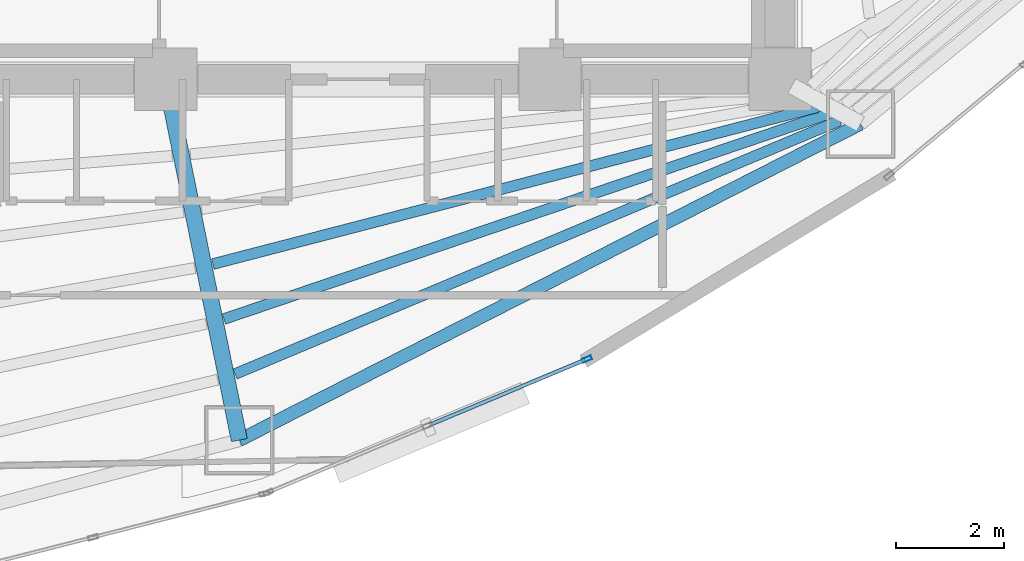
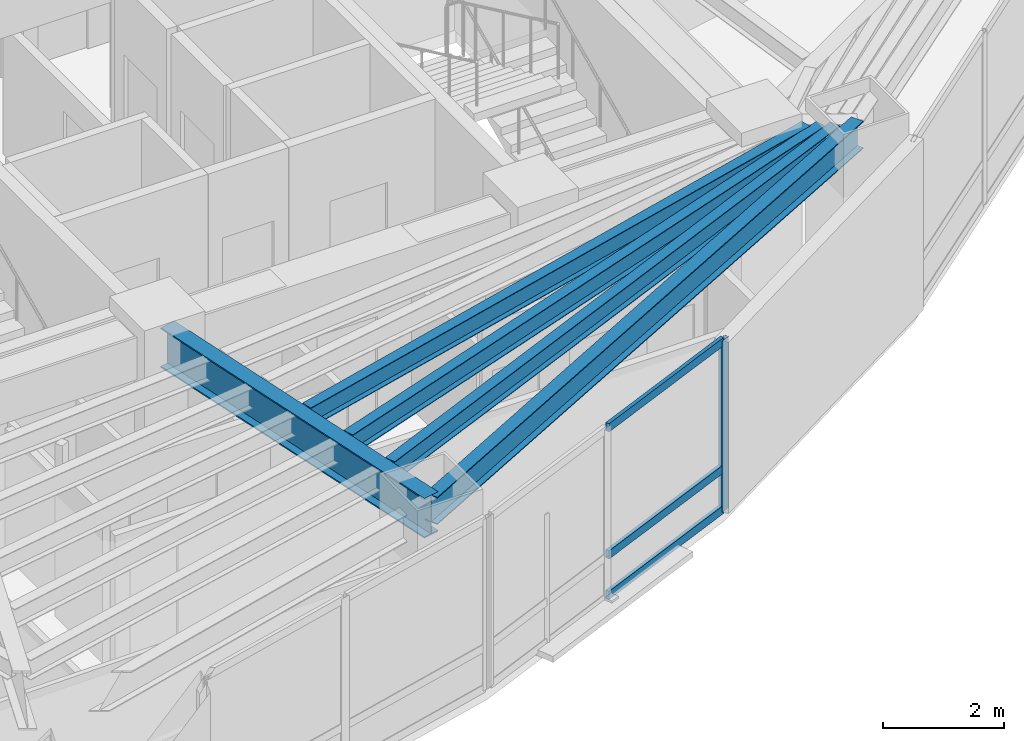
# One storey, part 6 of 25: 5 beams, 4 members, 1 element without a shape of its own.
"""IFC4 building model written with IfcOpenShell, lengths in metres."""

from ifc_helpers import new_model, si_unit, direction, frame, origin, origin_2d, place, context, subcontext, project, spatial, hollow_rectangle, i_section, extrude, material, layer, layer_set, material_profile, profile_set, type_object, element, aggregate, save


model = new_model("IFC4")

# Units and contexts
model_context = context("Model", 3, precision=1e-05, world=origin(), true_north=direction((0.0, 1.0)))
body_context = subcontext(model_context, "Body", "Model", "MODEL_VIEW")
ifc_project = project(units=[si_unit("LENGTHUNIT", "METRE"), si_unit("AREAUNIT", "SQUARE_METRE"), si_unit("VOLUMEUNIT", "CUBIC_METRE"), si_unit("PLANEANGLEUNIT", "RADIAN"), si_unit("MASSUNIT", "GRAM", prefix="KILO")], contexts=[model_context])

# Site, building, storey
site_placement = place(None, origin())
site = spatial("IfcSite", under=ifc_project, at=site_placement, CompositionType="ELEMENT")
building_placement = place(site_placement, origin())
building = spatial("IfcBuilding", under=site, at=building_placement, Name="Menara Vayukalpa", CompositionType="ELEMENT")
storey_placement = place(building_placement, frame((0.0, 0.0, 115.139892578125)))
storey = spatial("IfcBuildingStorey", under=building, at=storey_placement, Name="L28", CompositionType="ELEMENT", Elevation=115.139892578125)

# Beams
ifc_material_1 = material(Name="Steel S355", Category="steel")
ifc_material_profile_1 = material_profile(ifc_material_1, i_section(OverallWidth=0.300048828125, OverallDepth=0.800048828125, WebThickness=0.013916015625, FlangeThickness=0.02587890625, at=origin_2d()), Name="WF 800x300x14x26")
ifc_profile_set_1 = profile_set([ifc_material_profile_1], Name="Steel S355")
beam_type_1 = type_object("IfcBeamType", Name="BM-PG3", PredefinedType="BEAM", material=ifc_profile_set_1)
beam_1_placement = place(storey_placement, frame((22.099853515625, 16.955078125, 3.0400390625), z_axis=(0.199617728418, -0.9798738503, 0.0), x_axis=(0.9798738503, 0.199617728418, 0.0)))
element("IfcBeam", 1, at=beam_1_placement, inside=storey, type_object=beam_type_1, Name="L28 Primary Radial Girder RG08", PredefinedType="BEAM", context=body_context, shape_type="SweptSolid", body=[
    extrude(i_section(OverallWidth=0.300048828125, OverallDepth=0.800048828125, WebThickness=0.013916015625, FlangeThickness=0.02587890625, at=origin_2d()), origin(), (0.0, 0.0, 1.0), 6.55419921875),
])
ifc_material_2 = material(Name="Steel S355", Category="steel")
ifc_material_profile_2 = material_profile(ifc_material_2, i_section(OverallWidth=0.199951171875, OverallDepth=0.39990234375, WebThickness=0.008056640625, FlangeThickness=0.012939453125, at=origin_2d()), Name="WF 400x200x8x13")
ifc_profile_set_2 = profile_set([ifc_material_profile_2], Name="Steel S355")
beam_type_2 = type_object("IfcBeamType", Name="BM-SJ2", PredefinedType="JOIST", material=ifc_profile_set_2)
beam_2_placement = place(storey_placement, frame((22.918701171875, 13.78662109375, 3.239990234375), z_axis=(0.967921665574, 0.251252162802, 0.0), x_axis=(-0.251252162802, 0.967921665574, 0.0)))
element("IfcBeam", 2, at=beam_2_placement, inside=storey, type_object=beam_type_2, Name="L28 Secondary Floor Joist SJ08-3", PredefinedType="JOIST", context=body_context, shape_type="SweptSolid", body=[
    extrude(i_section(OverallWidth=0.199951171875, OverallDepth=0.39990234375, WebThickness=0.008056640625, FlangeThickness=0.012939453125, at=origin_2d()), origin(), (0.0, 0.0, 1.0), 11.539794921875),
])
beam_3_placement = place(storey_placement, frame((23.12451171875, 12.77099609375, 3.239990234375), z_axis=(0.94694934653, 0.321382848183, 0.0), x_axis=(-0.321382848183, 0.94694934653, 0.0)))
element("IfcBeam", 3, at=beam_3_placement, inside=storey, type_object=beam_type_2, Name="L28 Secondary Floor Joist SJ08-4", PredefinedType="JOIST", context=body_context, shape_type="SweptSolid", body=[
    extrude(i_section(OverallWidth=0.199951171875, OverallDepth=0.39990234375, WebThickness=0.008056640625, FlangeThickness=0.012939453125, at=origin_2d()), origin(), (0.0, 0.0, 1.0), 11.7958984375),
])
beam_4_placement = place(storey_placement, frame((23.32958984375, 11.75439453125, 3.239990234375), z_axis=(0.922216637658, 0.386673600375, 0.0), x_axis=(-0.386673600375, 0.922216637658, 0.0)))
element("IfcBeam", 4, at=beam_4_placement, inside=storey, type_object=beam_type_2, Name="L28 Secondary Floor Joist SJ08-5", PredefinedType="JOIST", context=body_context, shape_type="SweptSolid", body=[
    extrude(i_section(OverallWidth=0.199951171875, OverallDepth=0.39990234375, WebThickness=0.008056640625, FlangeThickness=0.012939453125, at=origin_2d()), origin(), (0.0, 0.0, 1.0), 12.114501953125),
])
ifc_material_3 = material(Name="Steel S355", Category="steel")
ifc_material_profile_3 = material_profile(ifc_material_3, i_section(OverallWidth=0.239990234375, OverallDepth=0.550048828125, WebThickness=0.010986328125, FlangeThickness=0.01904296875, at=origin_2d()), Name="WF 550x240x11x19")
ifc_profile_set_3 = profile_set([ifc_material_profile_3], Name="Steel S355")
beam_type_3 = type_object("IfcBeamType", Name="BM-SP2", PredefinedType="SPANDREL", material=ifc_profile_set_3)
beam_5_placement = place(storey_placement, frame((23.408203125, 10.53271484375, 3.1650390625), z_axis=(0.891097345221, 0.453812209333, 0.0), x_axis=(-0.453812209333, 0.891097345221, 0.0)))
element("IfcBeam", 5, at=beam_5_placement, inside=storey, type_object=beam_type_3, Name="L28 Perimeter Spandrel Beam SP08", PredefinedType="SPANDREL", context=body_context, shape_type="SweptSolid", body=[
    extrude(i_section(OverallWidth=0.239990234375, OverallDepth=0.550048828125, WebThickness=0.010986328125, FlangeThickness=0.01904296875, at=origin_2d()), origin(), (0.0, 0.0, 1.0), 12.88134765625),
])

# Curtain wall, members
ifc_material_4 = material(Name="Anodised Terracotta Aluminium Alloy 6063-T6", Category="masonry")
ifc_layer = layer(ifc_material_4, 0.179931640625)
ifc_layer_set = layer_set([ifc_layer], Name="Anodised Terracotta Aluminium Alloy 6063-T6")
curtain_wall_type = type_object("IfcCurtainWallType", Name="CW-CW4", PredefinedType="USERDEFINED", material=ifc_layer_set)
curtain_wall_placement = place(storey_placement, origin())
curtain_wall = element("IfcCurtainWall", 6, at=curtain_wall_placement, inside=storey, type_object=curtain_wall_type, Name="L28 Sky Bar Cantilever Glazed Curtain Wall CW4 17", ObjectType="UNITISED", PredefinedType="USERDEFINED")
ifc_material_5 = material(Name="Anodised Terracotta Aluminium Alloy 6063-T6", Category="masonry")
ifc_material_profile_4 = material_profile(ifc_material_5, hollow_rectangle(XDim=0.074951171875, YDim=0.179931640625, WallThickness=0.00390625, at=origin_2d()), Name="ALU 75x180x4")
ifc_profile_set_4 = profile_set([ifc_material_profile_4], Name="Anodised Terracotta Aluminium Alloy 6063-T6")
member_type_1 = type_object("IfcMemberType", Name="CWM-CW4", PredefinedType="MULLION", material=ifc_profile_set_4)
member_1_placement = place(storey_placement, frame((29.831298828125, 12.0302734375, 0.0), z_axis=(0.0, 0.0, 1.0), x_axis=(-0.38589358437, 0.922543300632, 0.0)))
member_1 = element("IfcMember", 7, at=member_1_placement, type_object=member_type_1, Name="CW4 mullion 3", PredefinedType="MULLION", context=body_context, shape_type="SweptSolid", body=[
    extrude(hollow_rectangle(XDim=0.074951171875, YDim=0.179931640625, WallThickness=0.00390625, at=origin_2d()), origin(), (0.0, 0.0, 1.0), 3.440185546875),
])
ifc_material_6 = material(Name="Anodised Terracotta Aluminium Alloy 6063-T6", Category="masonry")
ifc_material_profile_5 = material_profile(ifc_material_6, hollow_rectangle(XDim=0.070068359375, YDim=0.1650390625, WallThickness=0.00390625, at=origin_2d()), Name="ALU 70x165x4")
ifc_profile_set_5 = profile_set([ifc_material_profile_5], Name="Anodised Terracotta Aluminium Alloy 6063-T6")
member_type_2 = type_object("IfcMemberType", Name="CWT-CW4", PredefinedType="USERDEFINED", material=ifc_profile_set_5)
member_2_placement = place(storey_placement, frame((26.921142578125, 10.81298828125, 0.03515625), z_axis=(0.922533742775, 0.385916433236, 0.0), x_axis=(-0.385916433236, 0.922533742775, 0.0)))
member_2 = element("IfcMember", 8, at=member_2_placement, type_object=member_type_2, Name="CW4 transom 2.1", ObjectType="TRANSOM", PredefinedType="USERDEFINED", context=body_context, shape_type="SweptSolid", body=[
    extrude(hollow_rectangle(XDim=0.070068359375, YDim=0.1650390625, WallThickness=0.00390625, at=origin_2d()), origin(), (0.0, 0.0, 1.0), 3.116943359375),
])
member_3_placement = place(storey_placement, frame((26.921142578125, 10.81298828125, 0.85009765625), z_axis=(0.922533742775, 0.385916433236, 0.0), x_axis=(-0.385916433236, 0.922533742775, 0.0)))
member_3 = element("IfcMember", 9, at=member_3_placement, type_object=member_type_2, Name="CW4 transom 2.2", ObjectType="TRANSOM", PredefinedType="USERDEFINED", context=body_context, shape_type="SweptSolid", body=[
    extrude(hollow_rectangle(XDim=0.070068359375, YDim=0.1650390625, WallThickness=0.00390625, at=origin_2d()), origin(), (0.0, 0.0, 1.0), 3.116943359375),
])
member_4_placement = place(storey_placement, frame((26.921142578125, 10.81298828125, 3.405029296875), z_axis=(0.922533742775, 0.385916433236, 0.0), x_axis=(-0.385916433236, 0.922533742775, 0.0)))
member_4 = element("IfcMember", 10, at=member_4_placement, type_object=member_type_2, Name="CW4 transom 2.3", ObjectType="TRANSOM", PredefinedType="USERDEFINED", context=body_context, shape_type="SweptSolid", body=[
    extrude(hollow_rectangle(XDim=0.070068359375, YDim=0.1650390625, WallThickness=0.00390625, at=origin_2d()), origin(), (0.0, 0.0, 1.0), 3.116943359375),
])
aggregate(curtain_wall, [member_1, member_2, member_3, member_4])

save(model, "model.ifc")
